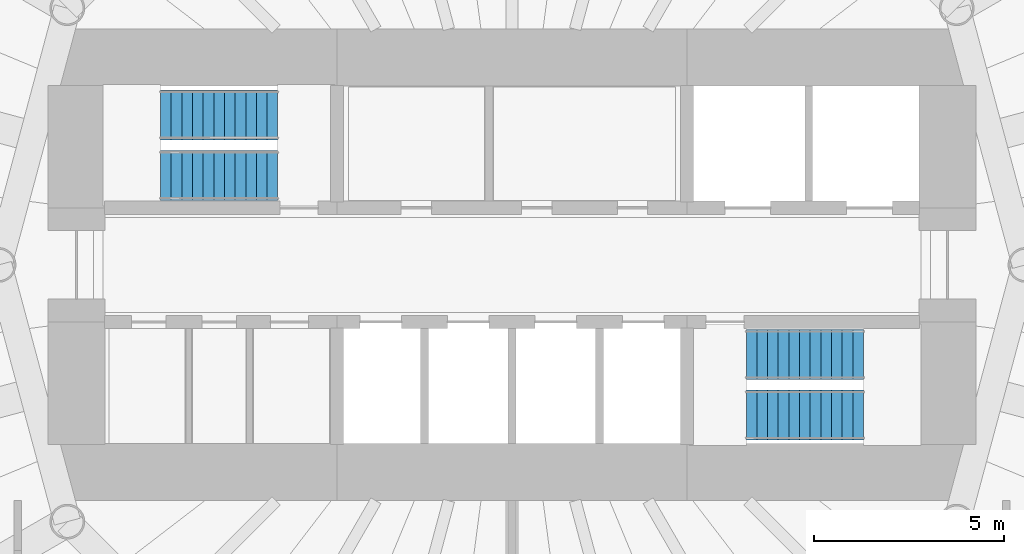
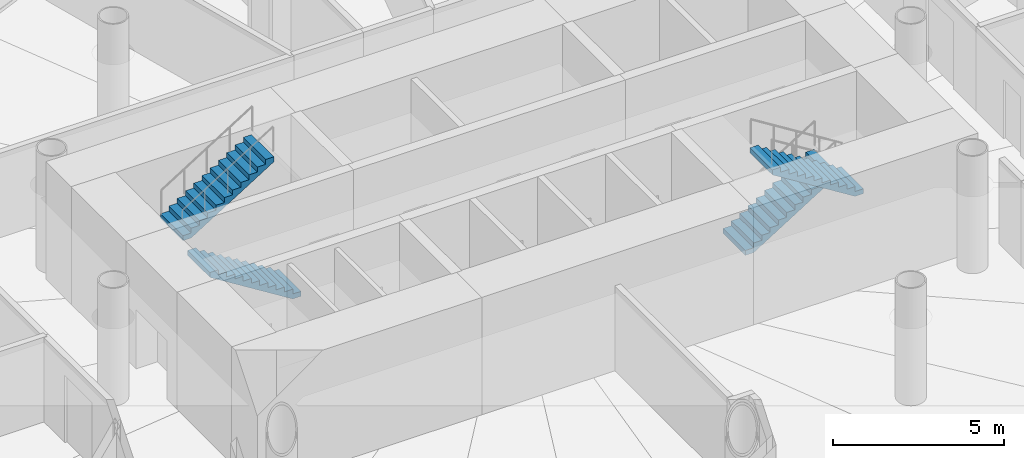
# One storey, part 11 of 14: 4 stair flights, 2 elements without a shape of their own.
"""IFC4 building model written with IfcOpenShell, lengths in metres."""

from ifc_helpers import new_model, si_unit, direction, frame, origin, place, context, subcontext, project, spatial, polyline, outline, extrude, material, type_object, element, aggregate, save


model = new_model("IFC4")

# Units and contexts
model_context = context("Model", 3, precision=1e-05, world=origin(), true_north=direction((0.0, 1.0)))
body_context = subcontext(model_context, "Body", "Model", "MODEL_VIEW")
ifc_project = project(units=[si_unit("LENGTHUNIT", "METRE"), si_unit("AREAUNIT", "SQUARE_METRE"), si_unit("VOLUMEUNIT", "CUBIC_METRE"), si_unit("PLANEANGLEUNIT", "RADIAN"), si_unit("MASSUNIT", "GRAM", prefix="KILO")], contexts=[model_context])

# Site, building, storey
site_placement = place(None, origin())
site = spatial("IfcSite", under=ifc_project, at=site_placement, CompositionType="ELEMENT")
building_placement = place(site_placement, origin())
building = spatial("IfcBuilding", under=site, at=building_placement, Name="Qaws Media Tower", CompositionType="ELEMENT")
storey_placement = place(building_placement, frame((0.0, 0.0, 248.60009765625)))
storey = spatial("IfcBuildingStorey", under=building, at=storey_placement, Name="L57", CompositionType="ELEMENT", Elevation=248.60009765625)

# Stair, stair flights
ifc_material_1 = material(Name="Concrete C40/50", Category="concrete")
stair_type = type_object("IfcStairType", Name="Exit stair", PredefinedType="HALF_TURN_STAIR", material=ifc_material_1)
stair_1_placement = place(storey_placement, origin())
stair_1 = element("IfcStair", 1, at=stair_1_placement, inside=storey, type_object=stair_type, Name="S1 exit stair L57", PredefinedType="HALF_TURN_STAIR")
ifc_material_2 = material(Name="Concrete C40/50", Category="concrete")
stair_flight_type = type_object("IfcStairFlightType", Name="Stair flight 1310", PredefinedType="STRAIGHT", material=ifc_material_2)
stair_flight_1_placement = place(storey_placement, frame((53.840087890625, 52.35498046875, 0.0), z_axis=(0.0, 0.0, 1.0), x_axis=(-1.0, 0.0, 0.0)))
stair_flight_1 = element("IfcStairFlight", 2, at=stair_flight_1_placement, type_object=stair_flight_type, Name="S1 flight 1", NumberOfRisers=12, NumberOfTreads=11, PredefinedType="STRAIGHT", RiserHeight=0.175, TreadLength=0.28, context=body_context, shape_type="SweptSolid", body=[
    extrude(outline(polyline([(0.0, 0.0), (0.0, 0.175048828125), (0.280029296875, 0.175048828125), (0.280029296875, 0.35009765625), (0.56005859375, 0.35009765625), (0.56005859375, 0.52490234375), (0.840087890625, 0.52490234375), (0.840087890625, 0.699951171875), (1.1201171875, 0.699951171875), (1.1201171875, 0.875), (1.39990234375, 0.875), (1.39990234375, 1.050048828125), (1.679931640625, 1.050048828125), (1.679931640625, 1.22509765625), (1.9599609375, 1.22509765625), (1.9599609375, 1.39990234375), (2.239990234375, 1.39990234375), (2.239990234375, 1.574951171875), (2.52001953125, 1.574951171875), (2.52001953125, 1.75), (2.800048828125, 1.75), (2.800048828125, 1.925048828125), (3.080078125, 1.925048828125), (3.080078125, 2.10009765625), (3.080078125, 1.748291015625), (0.28271484375, 0.0), (0.0, 0.0)])), frame((0.0, 0.655029296875, 0.0), z_axis=(0.0, -1.0, 0.0), x_axis=(1.0, 0.0, 0.0)), (0.0, 0.0, 1.0), 1.31005859375),
])
stair_flight_2_placement = place(storey_placement, frame((50.760009765625, 53.945068359375, 2.099853515625), z_axis=(0.0, 0.0, 1.0), x_axis=(1.0, 0.0, 0.0)))
stair_flight_2 = element("IfcStairFlight", 3, at=stair_flight_2_placement, type_object=stair_flight_type, Name="S1 flight 2", NumberOfRisers=12, NumberOfTreads=11, PredefinedType="STRAIGHT", RiserHeight=0.175, TreadLength=0.28, context=body_context, shape_type="SweptSolid", body=[
    extrude(outline(polyline([(0.0, 0.0), (0.0, 0.175048828125), (0.280029296875, 0.175048828125), (0.280029296875, 0.35009765625), (0.56005859375, 0.35009765625), (0.56005859375, 0.52490234375), (0.840087890625, 0.52490234375), (0.840087890625, 0.699951171875), (1.1201171875, 0.699951171875), (1.1201171875, 0.875), (1.39990234375, 0.875), (1.39990234375, 1.050048828125), (1.679931640625, 1.050048828125), (1.679931640625, 1.22509765625), (1.9599609375, 1.22509765625), (1.9599609375, 1.39990234375), (2.239990234375, 1.39990234375), (2.239990234375, 1.574951171875), (2.52001953125, 1.574951171875), (2.52001953125, 1.75), (2.800048828125, 1.75), (2.800048828125, 1.925048828125), (3.080078125, 1.925048828125), (3.080078125, 2.10009765625), (3.080078125, 1.748291015625), (0.28271484375, 0.0), (0.0, 0.0)])), frame((0.0, 0.655029296875, 0.0), z_axis=(0.0, -1.0, 0.0), x_axis=(1.0, 0.0, 0.0)), (0.0, 0.0, 1.0), 1.31005859375),
])
aggregate(stair_1, [stair_flight_1, stair_flight_2])

stair_2_placement = place(storey_placement, origin())
stair_2 = element("IfcStair", 4, at=stair_2_placement, inside=storey, type_object=stair_type, Name="S2 exit stair L57", PredefinedType="HALF_TURN_STAIR")
stair_flight_3_placement = place(storey_placement, frame((66.159912109375, 47.64501953125, 0.0), z_axis=(0.0, 0.0, 1.0), x_axis=(1.0, 0.0, 0.0)))
stair_flight_3 = element("IfcStairFlight", 5, at=stair_flight_3_placement, type_object=stair_flight_type, Name="S2 flight 1", NumberOfRisers=12, NumberOfTreads=11, PredefinedType="STRAIGHT", RiserHeight=0.175, TreadLength=0.28, context=body_context, shape_type="SweptSolid", body=[
    extrude(outline(polyline([(0.0, 0.0), (0.0, 0.175048828125), (0.280029296875, 0.175048828125), (0.280029296875, 0.35009765625), (0.56005859375, 0.35009765625), (0.56005859375, 0.52490234375), (0.840087890625, 0.52490234375), (0.840087890625, 0.699951171875), (1.1201171875, 0.699951171875), (1.1201171875, 0.875), (1.39990234375, 0.875), (1.39990234375, 1.050048828125), (1.679931640625, 1.050048828125), (1.679931640625, 1.22509765625), (1.9599609375, 1.22509765625), (1.9599609375, 1.39990234375), (2.239990234375, 1.39990234375), (2.239990234375, 1.574951171875), (2.52001953125, 1.574951171875), (2.52001953125, 1.75), (2.800048828125, 1.75), (2.800048828125, 1.925048828125), (3.080078125, 1.925048828125), (3.080078125, 2.10009765625), (3.080078125, 1.748291015625), (0.28271484375, 0.0), (0.0, 0.0)])), frame((0.0, 0.655029296875, 0.0), z_axis=(0.0, -1.0, 0.0), x_axis=(1.0, 0.0, 0.0)), (0.0, 0.0, 1.0), 1.31005859375),
])
stair_flight_4_placement = place(storey_placement, frame((69.239990234375, 46.054931640625, 2.099853515625), z_axis=(0.0, 0.0, 1.0), x_axis=(-1.0, 0.0, 0.0)))
stair_flight_4 = element("IfcStairFlight", 6, at=stair_flight_4_placement, type_object=stair_flight_type, Name="S2 flight 2", NumberOfRisers=12, NumberOfTreads=11, PredefinedType="STRAIGHT", RiserHeight=0.175, TreadLength=0.28, context=body_context, shape_type="SweptSolid", body=[
    extrude(outline(polyline([(0.0, 0.0), (0.0, 0.175048828125), (0.280029296875, 0.175048828125), (0.280029296875, 0.35009765625), (0.56005859375, 0.35009765625), (0.56005859375, 0.52490234375), (0.840087890625, 0.52490234375), (0.840087890625, 0.699951171875), (1.1201171875, 0.699951171875), (1.1201171875, 0.875), (1.39990234375, 0.875), (1.39990234375, 1.050048828125), (1.679931640625, 1.050048828125), (1.679931640625, 1.22509765625), (1.9599609375, 1.22509765625), (1.9599609375, 1.39990234375), (2.239990234375, 1.39990234375), (2.239990234375, 1.574951171875), (2.52001953125, 1.574951171875), (2.52001953125, 1.75), (2.800048828125, 1.75), (2.800048828125, 1.925048828125), (3.080078125, 1.925048828125), (3.080078125, 2.10009765625), (3.080078125, 1.748291015625), (0.28271484375, 0.0), (0.0, 0.0)])), frame((0.0, 0.655029296875, 0.0), z_axis=(0.0, -1.0, 0.0), x_axis=(1.0, 0.0, 0.0)), (0.0, 0.0, 1.0), 1.31005859375),
])
aggregate(stair_2, [stair_flight_3, stair_flight_4])

save(model, "model.ifc")
